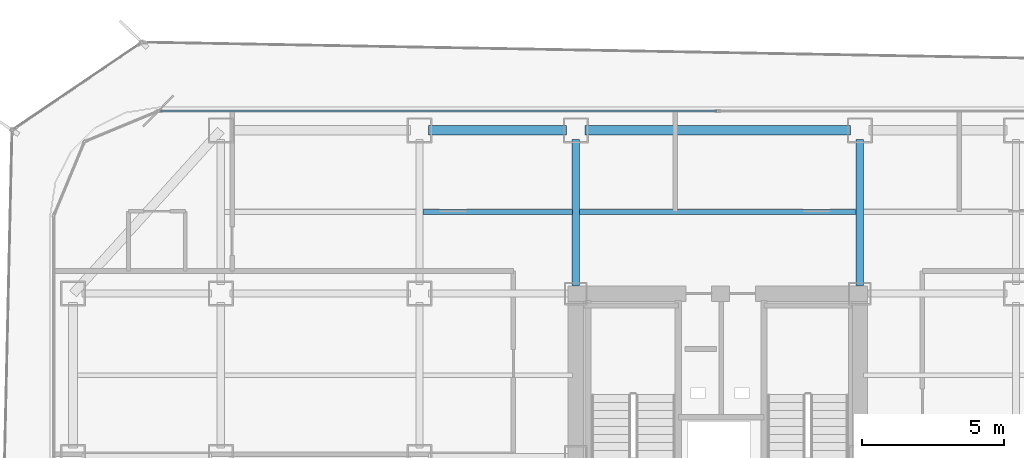
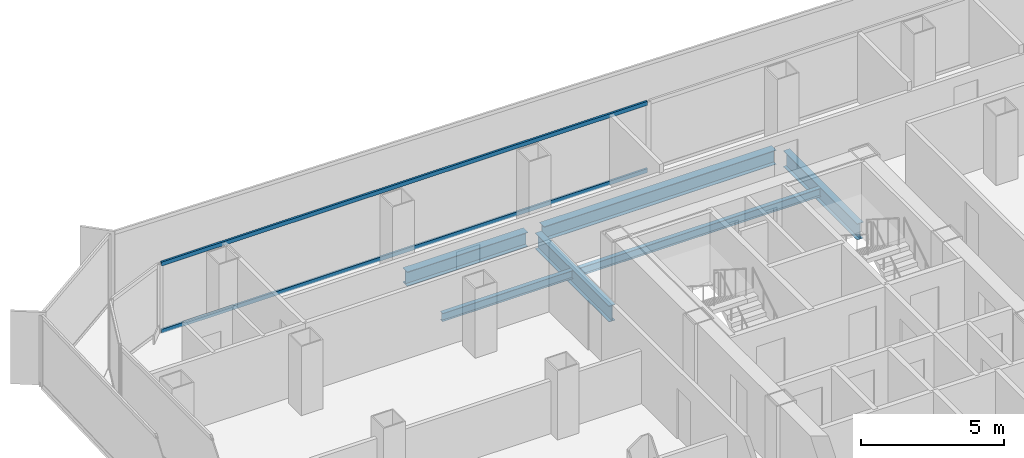
# One storey, part 11 of 21: 6 beams, 2 members, 1 element without a shape of its own.
"""IFC4 building model written with IfcOpenShell, lengths in metres."""

from ifc_helpers import new_model, si_unit, direction, frame, origin, origin_2d, place, context, subcontext, project, spatial, hollow_rectangle, i_section, extrude, source, transform, mapped, material, layer, layer_set, material_profile, profile_set, type_object, element, aggregate, save


model = new_model("IFC4")

# Units and contexts
model_context = context("Model", 3, precision=1e-05, world=origin(), true_north=direction((0.0, 1.0)))
body_context = subcontext(model_context, "Body", "Model", "MODEL_VIEW")
ifc_project = project(units=[si_unit("LENGTHUNIT", "METRE"), si_unit("AREAUNIT", "SQUARE_METRE"), si_unit("VOLUMEUNIT", "CUBIC_METRE"), si_unit("PLANEANGLEUNIT", "RADIAN"), si_unit("MASSUNIT", "GRAM", prefix="KILO")], contexts=[model_context])

# Site, building, storey
site_placement = place(None, origin())
site = spatial("IfcSite", under=ifc_project, at=site_placement, CompositionType="ELEMENT")
building_placement = place(site_placement, origin())
building = spatial("IfcBuilding", under=site, at=building_placement, Name="Kolveth Station Tower", CompositionType="ELEMENT")
storey_placement = place(building_placement, frame((0.0, 0.0, 105.5)))
storey = spatial("IfcBuildingStorey", under=building, at=storey_placement, Name="L28", CompositionType="ELEMENT", Elevation=105.5)

# Beams
ifc_material_1 = material(Name="Steel S355", Category="steel")
ifc_material_profile_1 = material_profile(ifc_material_1, i_section(OverallWidth=0.323974609375, OverallDepth=0.611083984375, WebThickness=0.0126953125, FlangeThickness=0.01904296875, at=origin_2d()), Name="W610x155")
ifc_profile_set_1 = profile_set([ifc_material_profile_1], Name="Steel S355")
beam_type_1 = type_object("IfcBeamType", Name="Beam_SP2", PredefinedType="SPANDREL", material=ifc_profile_set_1)
shared_shape_1 = source(origin(), body_context, "Body", "SweptSolid", [
    extrude(i_section(OverallWidth=0.323974609375, OverallDepth=0.611083984375, WebThickness=0.0126953125, FlangeThickness=0.01904296875, at=origin_2d()), origin(), (0.0, 0.0, 1.0), 4.85986328125),
])
beam_1_placement = place(storey_placement, frame((13.320068359375, 34.5, -0.555419921875), z_axis=(1.0, 0.0, 0.0), x_axis=(0.0, 1.0, 0.0)))
element("IfcBeam", 1, at=beam_1_placement, inside=storey, type_object=beam_type_1, Name="L28 Perimeter Spandrel BM-L28-PN-2", PredefinedType="SPANDREL", context=body_context, shape_type="MappedRepresentation", body=[
    mapped(shared_shape_1, transform((0.0, 0.0, 0.0), x_axis=(1.0, 0.0, 0.0), y_axis=(0.0, 1.0, 0.0), z_axis=(0.0, 0.0, 1.0), scale=1.0)),
])
shared_shape_2 = source(origin(), body_context, "Body", "SweptSolid", [
    extrude(i_section(OverallWidth=0.323974609375, OverallDepth=0.611083984375, WebThickness=0.0126953125, FlangeThickness=0.01904296875, at=origin_2d()), origin(), (0.0, 0.0, 1.0), 9.35986328125),
])
beam_2_placement = place(storey_placement, frame((18.820068359375, 34.5, -0.555419921875), z_axis=(1.0, 0.0, 0.0), x_axis=(0.0, 1.0, 0.0)))
element("IfcBeam", 2, at=beam_2_placement, inside=storey, type_object=beam_type_1, Name="L28 Perimeter Spandrel BM-L28-PN-3", PredefinedType="SPANDREL", context=body_context, shape_type="MappedRepresentation", body=[
    mapped(shared_shape_2, transform((0.0, 0.0, 0.0), x_axis=(1.0, 0.0, 0.0), y_axis=(0.0, 1.0, 0.0), z_axis=(0.0, 0.0, 1.0), scale=1.0)),
])
ifc_material_profile_2 = material_profile(ifc_material_1, i_section(OverallWidth=0.25390625, OverallDepth=0.68798828125, WebThickness=0.01318359375, FlangeThickness=0.02099609375, at=origin_2d()), Name="W690x152")
ifc_profile_set_2 = profile_set([ifc_material_profile_2], Name="Steel S355")
beam_type_2 = type_object("IfcBeamType", Name="Beam_B4", PredefinedType="BEAM", material=ifc_profile_set_2)
shared_shape_3 = source(origin(), body_context, "Body", "SweptSolid", [
    extrude(i_section(OverallWidth=0.25390625, OverallDepth=0.68798828125, WebThickness=0.01318359375, FlangeThickness=0.02099609375, at=origin_2d()), origin(), (0.0, 0.0, 1.0), 5.14990234375),
])
for number, where, z_axis, x_axis, name in (
    (3, (18.5, 29.030029296875, -0.593994140625), (0.0, 1.0, 0.0), (-1.0, 0.0, 0.0), "L28 Primary Girder BM-L28-GX185-6"),
    (4, (28.5, 29.030029296875, -0.593994140625), (0.0, 1.0, 0.0), (-1.0, 0.0, 0.0), "L28 Primary Girder BM-L28-GX285-6"),
):
    element("IfcBeam", number, at=place(storey_placement, frame(where, z_axis=z_axis, x_axis=x_axis)), inside=storey, type_object=beam_type_2, Name=name, PredefinedType="BEAM", context=body_context, shape_type="MappedRepresentation", body=[
        mapped(shared_shape_3, transform((0.0, 0.0, 0.0), x_axis=(1.0, 0.0, 0.0), y_axis=(0.0, 1.0, 0.0), z_axis=(0.0, 0.0, 1.0), scale=1.0)),
    ])
ifc_material_profile_3 = material_profile(ifc_material_1, i_section(OverallWidth=0.1708984375, OverallDepth=0.35205078125, WebThickness=0.0068359375, FlangeThickness=0.009765625, at=origin_2d()), Name="W360x44")
ifc_profile_set_3 = profile_set([ifc_material_profile_3], Name="Steel S355")
beam_type_3 = type_object("IfcBeamType", Name="Beam_J2", PredefinedType="JOIST", material=ifc_profile_set_3)
shared_shape_4 = source(origin(), body_context, "Body", "SweptSolid", [
    extrude(i_section(OverallWidth=0.1708984375, OverallDepth=0.35205078125, WebThickness=0.0068359375, FlangeThickness=0.009765625, at=origin_2d()), origin(), (0.0, 0.0, 1.0), 5.25),
])
beam_3_placement = place(storey_placement, frame((13.125, 31.625, -0.426025390625), z_axis=(1.0, 0.0, 0.0), x_axis=(0.0, 1.0, 0.0)))
element("IfcBeam", 5, at=beam_3_placement, inside=storey, type_object=beam_type_3, Name="L28 Secondary Joist JST-L28-3-6", PredefinedType="JOIST", context=body_context, shape_type="MappedRepresentation", body=[
    mapped(shared_shape_4, transform((0.0, 0.0, 0.0), x_axis=(1.0, 0.0, 0.0), y_axis=(0.0, 1.0, 0.0), z_axis=(0.0, 0.0, 1.0), scale=1.0)),
])
shared_shape_5 = source(origin(), body_context, "Body", "SweptSolid", [
    extrude(i_section(OverallWidth=0.1708984375, OverallDepth=0.35205078125, WebThickness=0.0068359375, FlangeThickness=0.009765625, at=origin_2d()), origin(), (0.0, 0.0, 1.0), 9.75),
])
beam_4_placement = place(storey_placement, frame((18.625, 31.625, -0.426025390625), z_axis=(1.0, 0.0, 0.0), x_axis=(0.0, 1.0, 0.0)))
element("IfcBeam", 6, at=beam_4_placement, inside=storey, type_object=beam_type_3, Name="L28 Secondary Joist JST-L28-4-6", PredefinedType="JOIST", context=body_context, shape_type="MappedRepresentation", body=[
    mapped(shared_shape_5, transform((0.0, 0.0, 0.0), x_axis=(1.0, 0.0, 0.0), y_axis=(0.0, 1.0, 0.0), z_axis=(0.0, 0.0, 1.0), scale=1.0)),
])

# Curtain wall, members
ifc_material_2 = material(Name="Aluminium 6063-T6 and low-E dark glass", Category="aluminium")
ifc_layer = layer(ifc_material_2, 0.18994140625)
ifc_layer_set = layer_set([ifc_layer], Name="Aluminium 6063-T6 and low-E dark glass")
curtain_wall_type = type_object("IfcCurtainWallType", Name="CurtainWall_CW-Z2", PredefinedType="NOTDEFINED", material=ifc_layer_set)
curtain_wall_placement = place(storey_placement, origin())
curtain_wall = element("IfcCurtainWall", 7, at=curtain_wall_placement, inside=storey, type_object=curtain_wall_type, Name="L28 Inner Thermal Curtain Wall 6", PredefinedType="NOTDEFINED")
ifc_material_3 = material(Name="Black anodized aluminium 6063-T6", Category="aluminium")
ifc_material_profile_4 = material_profile(ifc_material_3, hollow_rectangle(XDim=0.080078125, YDim=0.169921875, WallThickness=0.0048828125, at=origin_2d()), Name="ALU-80x170x5")
ifc_profile_set_4 = profile_set([ifc_material_profile_4], Name="Black anodized aluminium 6063-T6")
member_type = type_object("IfcMemberType", Name="Transom_TR2", PredefinedType="USERDEFINED", material=ifc_profile_set_4)
shared_shape_6 = source(origin(), body_context, "Body", "SweptSolid", [
    extrude(hollow_rectangle(XDim=0.080078125, YDim=0.169921875, WallThickness=0.0048828125, at=origin_2d()), origin(), (0.0, 0.0, 1.0), 19.580078125),
])
member_1_placement = place(storey_placement, frame((23.4599609375, 35.179931640625, 0.0400390625), z_axis=(-1.0, 0.0, 0.0), x_axis=(0.0, -1.0, 0.0)))
member_1 = element("IfcMember", 8, at=member_1_placement, type_object=member_type, Name="CW-Z2 transom 2.1", ObjectType="TRANSOM", PredefinedType="USERDEFINED", context=body_context, shape_type="MappedRepresentation", body=[
    mapped(shared_shape_6, transform((0.0, 0.0, 0.0), x_axis=(1.0, 0.0, 0.0), y_axis=(0.0, 1.0, 0.0), z_axis=(0.0, 0.0, 1.0), scale=1.0)),
])
member_2_placement = place(storey_placement, frame((23.4599609375, 35.179931640625, 2.909912109375), z_axis=(-1.0, 0.0, 0.0), x_axis=(0.0, -1.0, 0.0)))
member_2 = element("IfcMember", 9, at=member_2_placement, type_object=member_type, Name="CW-Z2 transom 2.2", ObjectType="TRANSOM", PredefinedType="USERDEFINED", context=body_context, shape_type="MappedRepresentation", body=[
    mapped(shared_shape_6, transform((0.0, 0.0, 0.0), x_axis=(1.0, 0.0, 0.0), y_axis=(0.0, 1.0, 0.0), z_axis=(0.0, 0.0, 1.0), scale=1.0)),
])
aggregate(curtain_wall, [member_1, member_2])

save(model, "model.ifc")
